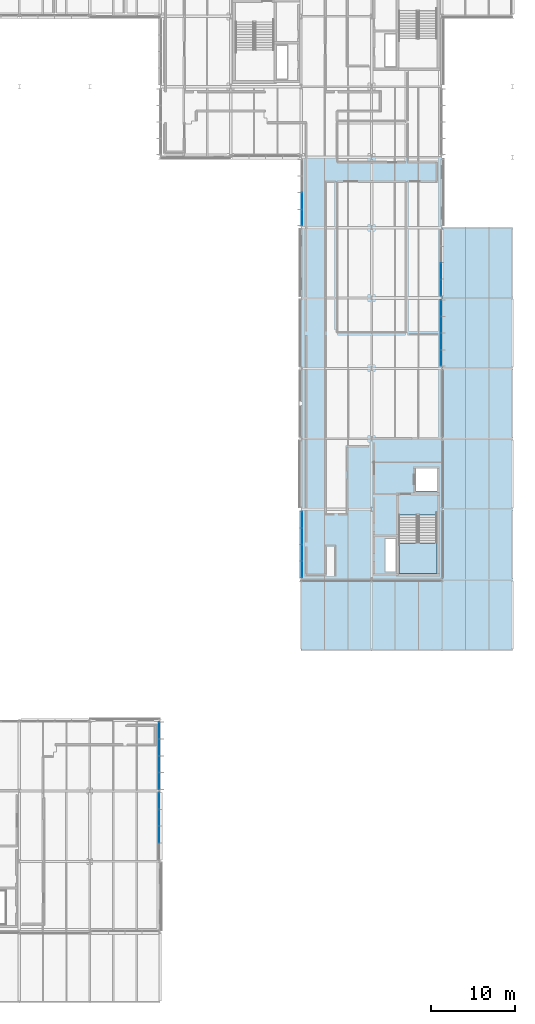
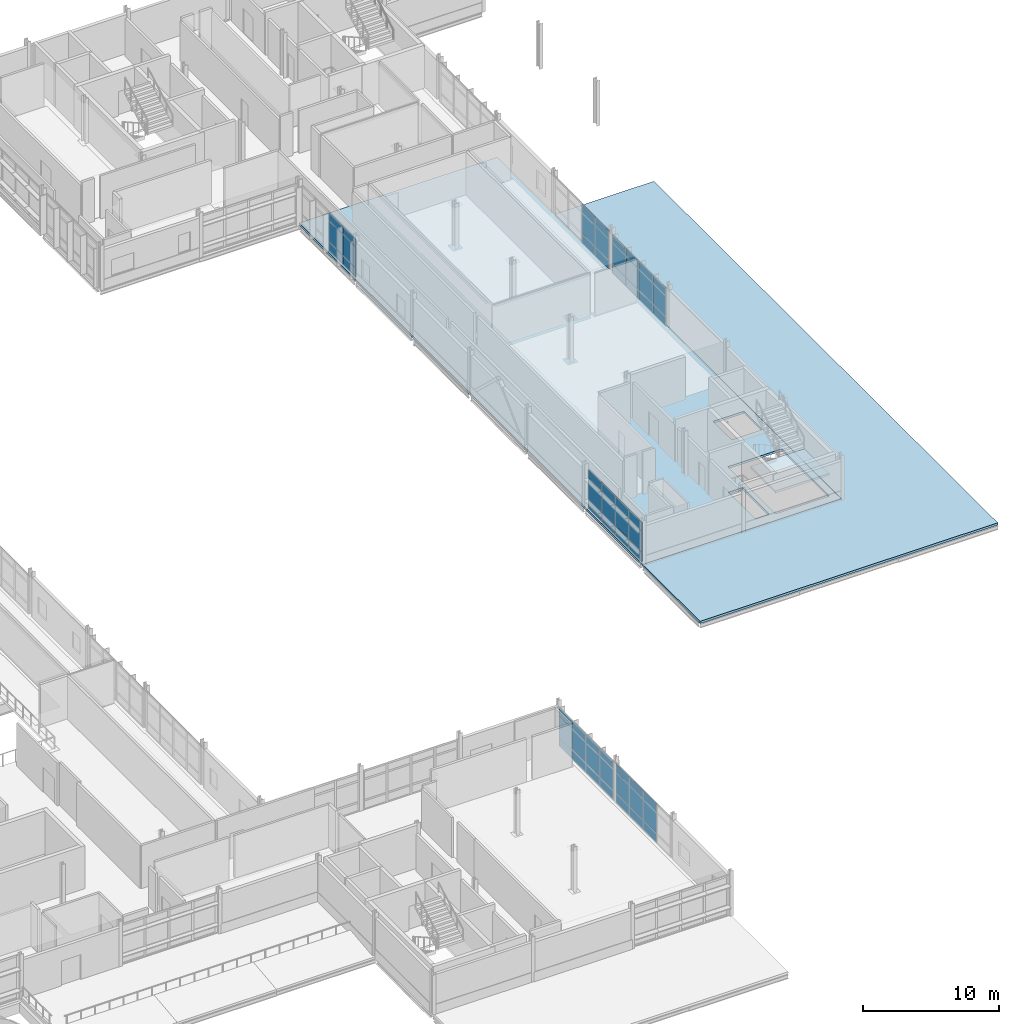
# One storey, part 115 of 151: 57 plates, 3 slabs, 7 elements without a shape of their own.
"""IFC4 building model written with IfcOpenShell, lengths in metres."""

import ifcopenshell
import ifcopenshell.guid

model = None  # the IFC model being written
_history = None  # IfcOwnerHistory: only IFC2X3 demands one
_inside = {}  # id of a spatial element -> (the spatial element, [elements in it])
_under = {}  # id of a project, library or spatial element -> (it, [spatial elements below it])
_declared = {}  # id of a project -> (the project, [libraries it declares])
_typed = {}  # id of a type object -> (the type object, [elements of that type])
_made_of = {}  # id of a material, layer set ... -> (it, [elements and type objects made of it])


def new_model(schema):
    """Start an empty IFC model of exactly this schema.

    Asked for "IFC4X3", IfcOpenShell would pick the latest addendum, in which some entities
    have other attributes; the version numbers below select the first issue.
    IFC2X3 requires an IfcOwnerHistory on every rooted entity: one is made here for all.
    """
    global model, _history
    if schema == "IFC4X3":
        model = ifcopenshell.file(schema_version=(4, 3, 0, 0))
    else:
        model = ifcopenshell.file(schema=schema)
    _inside.clear()
    _under.clear()
    _declared.clear()
    _typed.clear()
    _made_of.clear()
    _history = None
    if model.schema == "IFC2X3":
        org = make("IfcOrganization", Name="unknown")
        user = make(
            "IfcPersonAndOrganization",
            ThePerson=make("IfcPerson", FamilyName="unknown"),
            TheOrganization=org,
        )
        app = make(
            "IfcApplication",
            ApplicationDeveloper=org,
            Version="unknown",
            ApplicationFullName="unknown",
            ApplicationIdentifier="unknown",
        )
        _history = make(
            "IfcOwnerHistory",
            OwningUser=user,
            OwningApplication=app,
            ChangeAction="ADDED",
            CreationDate=0,
        )
    return model


def make(cls, **values):
    """One entity of the class cls with the attributes given. An attribute that is None is left unset."""
    return model.create_entity(
        cls, **{name: value for name, value in values.items() if value is not None}
    )


def rooted(cls, **values):
    """An entity with a GlobalId (a new one), such as an element, a storey or a relation."""
    return make(cls, GlobalId=ifcopenshell.guid.new(), OwnerHistory=_history, **values)


def si_unit(unit_type, name, prefix=None):
    """IfcSIUnit, for example si_unit("LENGTHUNIT", "METRE", prefix="MILLI")."""
    return make("IfcSIUnit", UnitType=unit_type, Prefix=prefix, Name=name)


def assignment(units):
    """IfcUnitAssignment: the units of a project."""
    return None if units is None else make("IfcUnitAssignment", Units=units)


def point(xyz):
    """IfcCartesianPoint."""
    return None if xyz is None else make("IfcCartesianPoint", Coordinates=xyz)


def direction(xyz):
    """IfcDirection."""
    return None if xyz is None else make("IfcDirection", DirectionRatios=xyz)


def frame(location, z_axis=None, x_axis=None):
    """IfcAxis2Placement3D, a coordinate frame: its origin and axes. An axis left out is left unset."""
    return make(
        "IfcAxis2Placement3D",
        Location=point(location),
        Axis=direction(z_axis),
        RefDirection=direction(x_axis),
    )


def frame_2d(location, x_axis=None):
    """IfcAxis2Placement2D, a coordinate frame in the plane: its origin and x axis."""
    return make(
        "IfcAxis2Placement2D", Location=point(location), RefDirection=direction(x_axis)
    )


def origin():
    """The frame at (0, 0, 0) with its axes left unset."""
    return frame((0.0, 0.0, 0.0))


def origin_2d():
    """The frame at (0, 0) in the plane with its x axis left unset."""
    return frame_2d((0.0, 0.0))


def place(relative_to, where):
    """IfcLocalPlacement: puts the frame where relative to a parent placement (None: the world)."""
    return make(
        "IfcLocalPlacement", PlacementRelTo=relative_to, RelativePlacement=where
    )


def context(
    kind, dimensions, precision=None, world=None, true_north=None, identifier=None
):
    """IfcGeometricRepresentationContext, for example the 3D "Model" context."""
    return make(
        "IfcGeometricRepresentationContext",
        ContextIdentifier=identifier,
        ContextType=kind,
        CoordinateSpaceDimension=dimensions,
        Precision=precision,
        WorldCoordinateSystem=world,
        TrueNorth=true_north,
    )


def subcontext(parent, identifier, kind, view, scale=None):
    """IfcGeometricRepresentationSubContext, for example "Body" below "Model"."""
    return make(
        "IfcGeometricRepresentationSubContext",
        ContextIdentifier=identifier,
        ContextType=kind,
        ParentContext=parent,
        TargetScale=scale,
        TargetView=view,
    )


def project(units=None, contexts=None):
    """IfcProject with its units and contexts."""
    return rooted(
        "IfcProject",
        Name="project",
        RepresentationContexts=contexts,
        UnitsInContext=assignment(units),
    )


def spatial(cls, under=None, at=None, **own):
    """A site, building, storey or space (cls), placed at a placement, below another one or the project."""
    s = rooted(cls, ObjectPlacement=at, **own)
    if under is not None:
        _under.setdefault(under.id(), (under, []))[1].append(s)
    return s


def polyline(points):
    """IfcPolyline through the points."""
    return make("IfcPolyline", Points=[point(p) for p in points])


def profile(cls, at=None, kind="AREA", **sizes):
    """A parametric profile (cls). Its sizes go by their IFC names, for example OverallWidth=200.0."""
    return make(cls, ProfileType=kind, Position=at, **sizes)


def rectangle(**sizes):
    """IfcRectangleProfileDef."""
    return profile("IfcRectangleProfileDef", **sizes)


def outline(outer, holes=None, kind="AREA"):
    """IfcArbitraryClosedProfileDef: a profile drawn as a closed curve; with holes, ...WithVoids."""
    if holes is None:
        return make("IfcArbitraryClosedProfileDef", ProfileType=kind, OuterCurve=outer)
    return make(
        "IfcArbitraryProfileDefWithVoids",
        ProfileType=kind,
        OuterCurve=outer,
        InnerCurves=holes,
    )


def extrude(swept, where, along, depth):
    """IfcExtrudedAreaSolid: the profile swept, set in the frame where, extruded along a direction by depth."""
    return make(
        "IfcExtrudedAreaSolid",
        SweptArea=swept,
        Position=where,
        ExtrudedDirection=direction(along),
        Depth=depth,
    )


def shape(context_of_items, identifier, shape_type, items):
    """IfcShapeRepresentation: the items that make up one representation, for example the "Body"."""
    return make(
        "IfcShapeRepresentation",
        ContextOfItems=context_of_items,
        RepresentationIdentifier=identifier,
        RepresentationType=shape_type,
        Items=items,
    )


def material(Name=None, Category=None):
    """IfcMaterial."""
    return make("IfcMaterial", Name=Name, Category=Category)


def layer(
    of_material, thickness, ventilated=None, Name=None, Category=None, Priority=None
):
    """IfcMaterialLayer: one layer of a wall or slab, of a material (None: an air gap)."""
    return make(
        "IfcMaterialLayer",
        Material=of_material,
        LayerThickness=thickness,
        IsVentilated=ventilated,
        Name=Name,
        Category=Category,
        Priority=Priority,
    )


def layer_set(layers, Name=None):
    """IfcMaterialLayerSet."""
    return make("IfcMaterialLayerSet", MaterialLayers=layers, LayerSetName=Name)


def made_of(thing, what):
    """Note that an element or type object is made of a material, layer set ...; save() writes the relation."""
    if what is not None:
        _made_of.setdefault(what.id(), (what, []))[1].append(thing)
    return thing


def type_object(cls, material=None, **own):
    """A type object (cls), such as IfcWallType, which elements share."""
    return made_of(rooted(cls, **own), material)


def element(
    cls,
    number,
    at=None,
    inside=None,
    cuts=None,
    type_object=None,
    material=None,
    context=None,
    identifier="Body",
    shape_type=None,
    held_by="IfcProductDefinitionShape",
    body=None,
    shapes=None,
    **own,
):
    """One element of the class cls, such as IfcWall. Its Tag is "e" and its number.

    at: its placement. inside: the storey or other place that contains it. cuts: it is an
    opening in that element (IfcRelVoidsElement). A single representation is given by context,
    identifier, shape_type and body (its items); several are given by shapes. held_by: the class
    of the entity that holds the representations. save() writes the other relations.
    """
    e = rooted(cls, Tag="e%d" % number, ObjectPlacement=at, **own)
    if body is not None:
        shapes = [shape(context, identifier, shape_type, body)]
    if shapes is not None:
        e.Representation = make(held_by, Representations=shapes)
    if inside is not None:
        _inside.setdefault(inside.id(), (inside, []))[1].append(e)
    if cuts is not None:
        rooted(
            "IfcRelVoidsElement", RelatingBuildingElement=cuts, RelatedOpeningElement=e
        )
    if type_object is not None:
        _typed.setdefault(type_object.id(), (type_object, []))[1].append(e)
    return made_of(e, material)


def aggregate(whole, parts):
    """IfcRelAggregates: a whole, such as a stair, and the parts it consists of."""
    return rooted("IfcRelAggregates", RelatingObject=whole, RelatedObjects=parts)


def save(model, path):
    """Write the relations noted so far, then the file.

    IfcRelAggregates (storeys below a building ...), IfcRelContainedInSpatialStructure (elements
    in a storey), IfcRelDefinesByType, IfcRelAssociatesMaterial and IfcRelDeclares: one each for
    every whole, place, type object, material and project.
    """
    for whole, parts in _under.values():
        aggregate(whole, parts)
    for where, things in _inside.values():
        rooted(
            "IfcRelContainedInSpatialStructure",
            RelatedElements=things,
            RelatingStructure=where,
        )
    for kind, things in _typed.values():
        rooted("IfcRelDefinesByType", RelatedObjects=things, RelatingType=kind)
    for what, things in _made_of.values():
        rooted("IfcRelAssociatesMaterial", RelatedObjects=things, RelatingMaterial=what)
    for by, libraries in _declared.values():
        rooted("IfcRelDeclares", RelatingContext=by, RelatedDefinitions=libraries)
    model.write(path)


model = new_model("IFC4")

# Units and contexts
model_context = context("Model", 3, precision=1e-05, world=origin(), true_north=direction((0.0, 1.0)))
body_context = subcontext(model_context, "Body", "Model", "MODEL_VIEW")
ifc_project = project(units=[si_unit("LENGTHUNIT", "METRE"), si_unit("AREAUNIT", "SQUARE_METRE"), si_unit("VOLUMEUNIT", "CUBIC_METRE"), si_unit("PLANEANGLEUNIT", "RADIAN"), si_unit("MASSUNIT", "GRAM", prefix="KILO")], contexts=[model_context])

# Site, building, storey
site_placement = place(None, origin())
site = spatial("IfcSite", under=ifc_project, at=site_placement, CompositionType="ELEMENT")
building_placement = place(site_placement, origin())
building = spatial("IfcBuilding", under=site, at=building_placement, Name="Mersafa Astral City Hall", CompositionType="ELEMENT")
storey_placement = place(building_placement, frame((0.0, 0.0, 9.89990234375)))
storey = spatial("IfcBuildingStorey", under=building, at=storey_placement, Name="L02", CompositionType="ELEMENT", Elevation=9.89990234375)

# Curtain wall, plates
ifc_material_1 = material(Name="Anodised bronze aluminium framing", Category="aluminium")
curtain_wall_type_1 = type_object("IfcCurtainWallType", Name="ENV-CW-1", PredefinedType="USERDEFINED", material=ifc_material_1)
curtain_wall_1_placement = place(storey_placement, origin())
curtain_wall_1 = element("IfcCurtainWall", 1, at=curtain_wall_1_placement, inside=storey, type_object=curtain_wall_type_1, Name="L02 Unitised solar curtain wall 108", ObjectType="UNITISED CURTAIN WALL", PredefinedType="USERDEFINED")
ifc_material_2 = material(Name="Solar control low-e double glazing", Category="glass")
ifc_layer_1 = layer(ifc_material_2, 0.028076171875, Name="Solar control low-e double glazing")
ifc_layer_set_1 = layer_set([ifc_layer_1], Name="Solar control low-e double glazing — ENV-CW-PNL-GLZ-1")
plate_type_1 = type_object("IfcPlateType", Name="ENV-CW-PNL-GLZ-1", PredefinedType="CURTAIN_PANEL", material=ifc_layer_set_1)
plate_1_placement = place(storey_placement, frame((142.679931640625, 26.386474609375, 0.05810546875), z_axis=(0.0, 0.0, 1.0), x_axis=(0.0, 1.0, 0.0)))
plate_1 = element("IfcPlate", 2, at=plate_1_placement, type_object=plate_type_1, Name="CW-1 panel 1.1", PredefinedType="CURTAIN_PANEL", context=body_context, shape_type="SweptSolid", body=[
    extrude(rectangle(XDim=1.928955078125, YDim=0.028076171875, at=origin_2d()), origin(), (0.0, 0.0, 1.0), 0.761962890625),
])
plate_2_placement = place(storey_placement, frame((142.679931640625, 26.386474609375, 0.8798828125), z_axis=(0.0, 0.0, 1.0), x_axis=(0.0, 1.0, 0.0)))
plate_2 = element("IfcPlate", 3, at=plate_2_placement, type_object=plate_type_1, Name="CW-1 panel 1.2", PredefinedType="CURTAIN_PANEL", context=body_context, shape_type="SweptSolid", body=[
    extrude(rectangle(XDim=1.928955078125, YDim=0.028076171875, at=origin_2d()), origin(), (0.0, 0.0, 1.0), 1.840087890625),
])
plate_3_placement = place(storey_placement, frame((142.679931640625, 26.386474609375, 2.780029296875), z_axis=(0.0, 0.0, 1.0), x_axis=(0.0, 1.0, 0.0)))
plate_3 = element("IfcPlate", 4, at=plate_3_placement, type_object=plate_type_1, Name="CW-1 panel 1.3", PredefinedType="CURTAIN_PANEL", context=body_context, shape_type="SweptSolid", body=[
    extrude(rectangle(XDim=1.928955078125, YDim=0.028076171875, at=origin_2d()), origin(), (0.0, 0.0, 1.0), 0.64697265625),
])
plate_4_placement = place(storey_placement, frame((142.679931640625, 28.390380859375, 0.05810546875), z_axis=(0.0, 0.0, 1.0), x_axis=(0.0, 1.0, 0.0)))
plate_4 = element("IfcPlate", 5, at=plate_4_placement, type_object=plate_type_1, Name="CW-1 panel 2.1", PredefinedType="CURTAIN_PANEL", context=body_context, shape_type="SweptSolid", body=[
    extrude(rectangle(XDim=1.958984375, YDim=0.028076171875, at=origin_2d()), origin(), (0.0, 0.0, 1.0), 0.761962890625),
])
plate_5_placement = place(storey_placement, frame((142.679931640625, 28.390380859375, 0.8798828125), z_axis=(0.0, 0.0, 1.0), x_axis=(0.0, 1.0, 0.0)))
plate_5 = element("IfcPlate", 6, at=plate_5_placement, type_object=plate_type_1, Name="CW-1 panel 2.2", PredefinedType="CURTAIN_PANEL", context=body_context, shape_type="SweptSolid", body=[
    extrude(rectangle(XDim=1.958984375, YDim=0.028076171875, at=origin_2d()), origin(), (0.0, 0.0, 1.0), 1.840087890625),
])
plate_6_placement = place(storey_placement, frame((142.679931640625, 28.390380859375, 2.780029296875), z_axis=(0.0, 0.0, 1.0), x_axis=(0.0, 1.0, 0.0)))
plate_6 = element("IfcPlate", 7, at=plate_6_placement, type_object=plate_type_1, Name="CW-1 panel 2.3", PredefinedType="CURTAIN_PANEL", context=body_context, shape_type="SweptSolid", body=[
    extrude(rectangle(XDim=1.958984375, YDim=0.028076171875, at=origin_2d()), origin(), (0.0, 0.0, 1.0), 0.64697265625),
])
plate_7_placement = place(storey_placement, frame((142.679931640625, 30.409423828125, 0.05810546875), z_axis=(0.0, 0.0, 1.0), x_axis=(0.0, 1.0, 0.0)))
plate_7 = element("IfcPlate", 8, at=plate_7_placement, type_object=plate_type_1, Name="CW-1 panel 3.1", PredefinedType="CURTAIN_PANEL", context=body_context, shape_type="SweptSolid", body=[
    extrude(rectangle(XDim=1.958984375, YDim=0.028076171875, at=origin_2d()), origin(), (0.0, 0.0, 1.0), 0.761962890625),
])
plate_8_placement = place(storey_placement, frame((142.679931640625, 30.409423828125, 0.8798828125), z_axis=(0.0, 0.0, 1.0), x_axis=(0.0, 1.0, 0.0)))
plate_8 = element("IfcPlate", 9, at=plate_8_placement, type_object=plate_type_1, Name="CW-1 panel 3.2", PredefinedType="CURTAIN_PANEL", context=body_context, shape_type="SweptSolid", body=[
    extrude(rectangle(XDim=1.958984375, YDim=0.028076171875, at=origin_2d()), origin(), (0.0, 0.0, 1.0), 1.840087890625),
])
plate_9_placement = place(storey_placement, frame((142.679931640625, 30.409423828125, 2.780029296875), z_axis=(0.0, 0.0, 1.0), x_axis=(0.0, 1.0, 0.0)))
plate_9 = element("IfcPlate", 10, at=plate_9_placement, type_object=plate_type_1, Name="CW-1 panel 3.3", PredefinedType="CURTAIN_PANEL", context=body_context, shape_type="SweptSolid", body=[
    extrude(rectangle(XDim=1.958984375, YDim=0.028076171875, at=origin_2d()), origin(), (0.0, 0.0, 1.0), 0.64697265625),
])
plate_10_placement = place(storey_placement, frame((142.679931640625, 32.41357421875, 0.05810546875), z_axis=(0.0, 0.0, 1.0), x_axis=(0.0, 1.0, 0.0)))
plate_10 = element("IfcPlate", 11, at=plate_10_placement, type_object=plate_type_1, Name="CW-1 panel 4.1", PredefinedType="CURTAIN_PANEL", context=body_context, shape_type="SweptSolid", body=[
    extrude(rectangle(XDim=1.928955078125, YDim=0.028076171875, at=origin_2d()), origin(), (0.0, 0.0, 1.0), 0.761962890625),
])
plate_11_placement = place(storey_placement, frame((142.679931640625, 32.41357421875, 0.8798828125), z_axis=(0.0, 0.0, 1.0), x_axis=(0.0, 1.0, 0.0)))
plate_11 = element("IfcPlate", 12, at=plate_11_placement, type_object=plate_type_1, Name="CW-1 panel 4.2", PredefinedType="CURTAIN_PANEL", context=body_context, shape_type="SweptSolid", body=[
    extrude(rectangle(XDim=1.928955078125, YDim=0.028076171875, at=origin_2d()), origin(), (0.0, 0.0, 1.0), 1.840087890625),
])
plate_12_placement = place(storey_placement, frame((142.679931640625, 32.41357421875, 2.780029296875), z_axis=(0.0, 0.0, 1.0), x_axis=(0.0, 1.0, 0.0)))
plate_12 = element("IfcPlate", 13, at=plate_12_placement, type_object=plate_type_1, Name="CW-1 panel 4.3", PredefinedType="CURTAIN_PANEL", context=body_context, shape_type="SweptSolid", body=[
    extrude(rectangle(XDim=1.928955078125, YDim=0.028076171875, at=origin_2d()), origin(), (0.0, 0.0, 1.0), 0.64697265625),
])
aggregate(curtain_wall_1, [plate_1, plate_2, plate_3, plate_4, plate_5, plate_6, plate_7, plate_8, plate_9, plate_10, plate_11, plate_12])

curtain_wall_type_2 = type_object("IfcCurtainWallType", Name="ENV-CW-5", PredefinedType="USERDEFINED", material=ifc_material_1)
curtain_wall_2_placement = place(storey_placement, origin())
curtain_wall_2 = element("IfcCurtainWall", 14, at=curtain_wall_2_placement, inside=storey, type_object=curtain_wall_type_2, Name="L02 Unitised solar curtain wall 124", ObjectType="UNITISED CURTAIN WALL", PredefinedType="USERDEFINED")
plate_13_placement = place(storey_placement, frame((176.280029296875, 76.8427734375, 0.05810546875), z_axis=(0.0, 0.0, 1.0), x_axis=(0.0, 1.0, 0.0)))
plate_13 = element("IfcPlate", 15, at=plate_13_placement, type_object=plate_type_1, Name="CW-5 panel 1.1", PredefinedType="CURTAIN_PANEL", context=body_context, shape_type="SweptSolid", body=[
    extrude(rectangle(XDim=1.8916015625, YDim=0.028076171875, at=origin_2d()), origin(), (0.0, 0.0, 1.0), 0.761962890625),
])
plate_14_placement = place(storey_placement, frame((176.280029296875, 76.8427734375, 0.8798828125), z_axis=(0.0, 0.0, 1.0), x_axis=(0.0, 1.0, 0.0)))
plate_14 = element("IfcPlate", 16, at=plate_14_placement, type_object=plate_type_1, Name="CW-5 panel 1.2", PredefinedType="CURTAIN_PANEL", context=body_context, shape_type="SweptSolid", body=[
    extrude(rectangle(XDim=1.8916015625, YDim=0.028076171875, at=origin_2d()), origin(), (0.0, 0.0, 1.0), 1.840087890625),
])
plate_15_placement = place(storey_placement, frame((176.280029296875, 76.8427734375, 2.780029296875), z_axis=(0.0, 0.0, 1.0), x_axis=(0.0, 1.0, 0.0)))
plate_15 = element("IfcPlate", 17, at=plate_15_placement, type_object=plate_type_1, Name="CW-5 panel 1.3", PredefinedType="CURTAIN_PANEL", context=body_context, shape_type="SweptSolid", body=[
    extrude(rectangle(XDim=1.8916015625, YDim=0.028076171875, at=origin_2d()), origin(), (0.0, 0.0, 1.0), 0.64697265625),
])
plate_16_placement = place(storey_placement, frame((176.280029296875, 78.809326171875, 0.05810546875), z_axis=(0.0, 0.0, 1.0), x_axis=(0.0, 1.0, 0.0)))
plate_16 = element("IfcPlate", 18, at=plate_16_placement, type_object=plate_type_1, Name="CW-5 panel 2.1", PredefinedType="CURTAIN_PANEL", context=body_context, shape_type="SweptSolid", body=[
    extrude(rectangle(XDim=1.92138671875, YDim=0.028076171875, at=origin_2d()), origin(), (0.0, 0.0, 1.0), 0.761962890625),
])
plate_17_placement = place(storey_placement, frame((176.280029296875, 78.809326171875, 0.8798828125), z_axis=(0.0, 0.0, 1.0), x_axis=(0.0, 1.0, 0.0)))
plate_17 = element("IfcPlate", 19, at=plate_17_placement, type_object=plate_type_1, Name="CW-5 panel 2.2", PredefinedType="CURTAIN_PANEL", context=body_context, shape_type="SweptSolid", body=[
    extrude(rectangle(XDim=1.92138671875, YDim=0.028076171875, at=origin_2d()), origin(), (0.0, 0.0, 1.0), 1.840087890625),
])
plate_18_placement = place(storey_placement, frame((176.280029296875, 78.809326171875, 2.780029296875), z_axis=(0.0, 0.0, 1.0), x_axis=(0.0, 1.0, 0.0)))
plate_18 = element("IfcPlate", 20, at=plate_18_placement, type_object=plate_type_1, Name="CW-5 panel 2.3", PredefinedType="CURTAIN_PANEL", context=body_context, shape_type="SweptSolid", body=[
    extrude(rectangle(XDim=1.92138671875, YDim=0.028076171875, at=origin_2d()), origin(), (0.0, 0.0, 1.0), 0.64697265625),
])
plate_19_placement = place(storey_placement, frame((176.280029296875, 80.790771484375, 0.05810546875), z_axis=(0.0, 0.0, 1.0), x_axis=(0.0, 1.0, 0.0)))
plate_19 = element("IfcPlate", 21, at=plate_19_placement, type_object=plate_type_1, Name="CW-5 panel 3.1", PredefinedType="CURTAIN_PANEL", context=body_context, shape_type="SweptSolid", body=[
    extrude(rectangle(XDim=1.92138671875, YDim=0.028076171875, at=origin_2d()), origin(), (0.0, 0.0, 1.0), 0.761962890625),
])
plate_20_placement = place(storey_placement, frame((176.280029296875, 80.790771484375, 0.8798828125), z_axis=(0.0, 0.0, 1.0), x_axis=(0.0, 1.0, 0.0)))
plate_20 = element("IfcPlate", 22, at=plate_20_placement, type_object=plate_type_1, Name="CW-5 panel 3.2", PredefinedType="CURTAIN_PANEL", context=body_context, shape_type="SweptSolid", body=[
    extrude(rectangle(XDim=1.92138671875, YDim=0.028076171875, at=origin_2d()), origin(), (0.0, 0.0, 1.0), 1.840087890625),
])
plate_21_placement = place(storey_placement, frame((176.280029296875, 80.790771484375, 2.780029296875), z_axis=(0.0, 0.0, 1.0), x_axis=(0.0, 1.0, 0.0)))
plate_21 = element("IfcPlate", 23, at=plate_21_placement, type_object=plate_type_1, Name="CW-5 panel 3.3", PredefinedType="CURTAIN_PANEL", context=body_context, shape_type="SweptSolid", body=[
    extrude(rectangle(XDim=1.92138671875, YDim=0.028076171875, at=origin_2d()), origin(), (0.0, 0.0, 1.0), 0.64697265625),
])
plate_22_placement = place(storey_placement, frame((176.280029296875, 82.75732421875, 0.05810546875), z_axis=(0.0, 0.0, 1.0), x_axis=(0.0, 1.0, 0.0)))
plate_22 = element("IfcPlate", 24, at=plate_22_placement, type_object=plate_type_1, Name="CW-5 panel 4.1", PredefinedType="CURTAIN_PANEL", context=body_context, shape_type="SweptSolid", body=[
    extrude(rectangle(XDim=1.8916015625, YDim=0.028076171875, at=origin_2d()), origin(), (0.0, 0.0, 1.0), 0.761962890625),
])
plate_23_placement = place(storey_placement, frame((176.280029296875, 82.75732421875, 0.8798828125), z_axis=(0.0, 0.0, 1.0), x_axis=(0.0, 1.0, 0.0)))
plate_23 = element("IfcPlate", 25, at=plate_23_placement, type_object=plate_type_1, Name="CW-5 panel 4.2", PredefinedType="CURTAIN_PANEL", context=body_context, shape_type="SweptSolid", body=[
    extrude(rectangle(XDim=1.8916015625, YDim=0.028076171875, at=origin_2d()), origin(), (0.0, 0.0, 1.0), 1.840087890625),
])
plate_24_placement = place(storey_placement, frame((176.280029296875, 82.75732421875, 2.780029296875), z_axis=(0.0, 0.0, 1.0), x_axis=(0.0, 1.0, 0.0)))
plate_24 = element("IfcPlate", 26, at=plate_24_placement, type_object=plate_type_1, Name="CW-5 panel 4.3", PredefinedType="CURTAIN_PANEL", context=body_context, shape_type="SweptSolid", body=[
    extrude(rectangle(XDim=1.8916015625, YDim=0.028076171875, at=origin_2d()), origin(), (0.0, 0.0, 1.0), 0.64697265625),
])
aggregate(curtain_wall_2, [plate_13, plate_14, plate_15, plate_16, plate_17, plate_18, plate_19, plate_20, plate_21, plate_22, plate_23, plate_24])

curtain_wall_type_3 = type_object("IfcCurtainWallType", Name="ENV-CW-6", PredefinedType="USERDEFINED", material=ifc_material_1)
curtain_wall_3_placement = place(storey_placement, origin())
curtain_wall_3 = element("IfcCurtainWall", 27, at=curtain_wall_3_placement, inside=storey, type_object=curtain_wall_type_3, Name="L02 Unitised solar curtain wall 125", ObjectType="UNITISED CURTAIN WALL", PredefinedType="USERDEFINED")
ifc_layer_2 = layer(ifc_material_2, 0.031982421875, Name="Solar control low-e double glazing")
ifc_layer_set_2 = layer_set([ifc_layer_2], Name="Solar control low-e double glazing — ENV-CW-PNL-GLZ-2")
plate_type_2 = type_object("IfcPlateType", Name="ENV-CW-PNL-GLZ-2", PredefinedType="CURTAIN_PANEL", material=ifc_layer_set_2)
plate_25_placement = place(storey_placement, frame((176.280029296875, 85.24267578125, 0.05810546875), z_axis=(0.0, 0.0, 1.0), x_axis=(0.0, 1.0, 0.0)))
plate_25 = element("IfcPlate", 28, at=plate_25_placement, type_object=plate_type_2, Name="CW-6 panel 1.1", PredefinedType="CURTAIN_PANEL", context=body_context, shape_type="SweptSolid", body=[
    extrude(rectangle(XDim=1.8916015625, YDim=0.031982421875, at=origin_2d()), origin(), (0.0, 0.0, 1.0), 0.761962890625),
])
plate_26_placement = place(storey_placement, frame((176.280029296875, 85.24267578125, 0.8798828125), z_axis=(0.0, 0.0, 1.0), x_axis=(0.0, 1.0, 0.0)))
plate_26 = element("IfcPlate", 29, at=plate_26_placement, type_object=plate_type_2, Name="CW-6 panel 1.2", PredefinedType="CURTAIN_PANEL", context=body_context, shape_type="SweptSolid", body=[
    extrude(rectangle(XDim=1.8916015625, YDim=0.031982421875, at=origin_2d()), origin(), (0.0, 0.0, 1.0), 1.840087890625),
])
plate_27_placement = place(storey_placement, frame((176.280029296875, 85.24267578125, 2.7802734375), z_axis=(0.0, 0.0, 1.0), x_axis=(0.0, 1.0, 0.0)))
plate_27 = element("IfcPlate", 30, at=plate_27_placement, type_object=plate_type_2, Name="CW-6 panel 1.3", PredefinedType="CURTAIN_PANEL", context=body_context, shape_type="SweptSolid", body=[
    extrude(rectangle(XDim=1.8916015625, YDim=0.031982421875, at=origin_2d()), origin(), (0.0, 0.0, 1.0), 0.737060546875),
])
plate_28_placement = place(storey_placement, frame((176.280029296875, 87.209228515625, 0.05810546875), z_axis=(0.0, 0.0, 1.0), x_axis=(0.0, 1.0, 0.0)))
plate_28 = element("IfcPlate", 31, at=plate_28_placement, type_object=plate_type_2, Name="CW-6 panel 2.1", PredefinedType="CURTAIN_PANEL", context=body_context, shape_type="SweptSolid", body=[
    extrude(rectangle(XDim=1.92138671875, YDim=0.031982421875, at=origin_2d()), origin(), (0.0, 0.0, 1.0), 0.761962890625),
])
plate_29_placement = place(storey_placement, frame((176.280029296875, 87.209228515625, 0.8798828125), z_axis=(0.0, 0.0, 1.0), x_axis=(0.0, 1.0, 0.0)))
plate_29 = element("IfcPlate", 32, at=plate_29_placement, type_object=plate_type_2, Name="CW-6 panel 2.2", PredefinedType="CURTAIN_PANEL", context=body_context, shape_type="SweptSolid", body=[
    extrude(rectangle(XDim=1.92138671875, YDim=0.031982421875, at=origin_2d()), origin(), (0.0, 0.0, 1.0), 1.840087890625),
])
plate_30_placement = place(storey_placement, frame((176.280029296875, 87.209228515625, 2.7802734375), z_axis=(0.0, 0.0, 1.0), x_axis=(0.0, 1.0, 0.0)))
plate_30 = element("IfcPlate", 33, at=plate_30_placement, type_object=plate_type_2, Name="CW-6 panel 2.3", PredefinedType="CURTAIN_PANEL", context=body_context, shape_type="SweptSolid", body=[
    extrude(rectangle(XDim=1.92138671875, YDim=0.031982421875, at=origin_2d()), origin(), (0.0, 0.0, 1.0), 0.737060546875),
])
aggregate(curtain_wall_3, [plate_25, plate_26, plate_27, plate_28, plate_29, plate_30])

curtain_wall_type_4 = type_object("IfcCurtainWallType", Name="ENV-CW-3", PredefinedType="USERDEFINED", material=ifc_material_1)
curtain_wall_4_placement = place(storey_placement, origin())
curtain_wall_4 = element("IfcCurtainWall", 34, at=curtain_wall_4_placement, inside=storey, type_object=curtain_wall_type_4, Name="L02 Unitised solar curtain wall 122", ObjectType="UNITISED CURTAIN WALL", PredefinedType="USERDEFINED")
ifc_layer_3 = layer(ifc_material_2, 0.035888671875, Name="Solar control low-e double glazing")
ifc_layer_set_3 = layer_set([ifc_layer_3], Name="Solar control low-e double glazing — ENV-CW-PNL-GLZ-3")
plate_type_3 = type_object("IfcPlateType", Name="ENV-CW-PNL-GLZ-3", PredefinedType="CURTAIN_PANEL", material=ifc_layer_set_3)
plate_31_placement = place(storey_placement, frame((159.719970703125, 95.57177734375, 0.05810546875), z_axis=(0.0, 0.0, 1.0), x_axis=(0.0, -1.0, 0.0)))
plate_31 = element("IfcPlate", 35, at=plate_31_placement, type_object=plate_type_3, Name="CW-3 panel 3.1", PredefinedType="CURTAIN_PANEL", context=body_context, shape_type="SweptSolid", body=[
    extrude(rectangle(XDim=1.926513671875, YDim=0.035888671875, at=origin_2d()), origin(), (0.0, 0.0, 1.0), 0.761962890625),
])
plate_32_placement = place(storey_placement, frame((159.719970703125, 95.57177734375, 0.8798828125), z_axis=(0.0, 0.0, 1.0), x_axis=(0.0, -1.0, 0.0)))
plate_32 = element("IfcPlate", 36, at=plate_32_placement, type_object=plate_type_3, Name="CW-3 panel 3.2", PredefinedType="CURTAIN_PANEL", context=body_context, shape_type="SweptSolid", body=[
    extrude(rectangle(XDim=1.926513671875, YDim=0.035888671875, at=origin_2d()), origin(), (0.0, 0.0, 1.0), 1.840087890625),
])
plate_33_placement = place(storey_placement, frame((159.719970703125, 95.57177734375, 2.780029296875), z_axis=(0.0, 0.0, 1.0), x_axis=(0.0, -1.0, 0.0)))
plate_33 = element("IfcPlate", 37, at=plate_33_placement, type_object=plate_type_3, Name="CW-3 panel 3.3", PredefinedType="CURTAIN_PANEL", context=body_context, shape_type="SweptSolid", body=[
    extrude(rectangle(XDim=1.926513671875, YDim=0.035888671875, at=origin_2d()), origin(), (0.0, 0.0, 1.0), 0.64697265625),
])
plate_34_placement = place(storey_placement, frame((159.719970703125, 93.600341796875, 0.05810546875), z_axis=(0.0, 0.0, 1.0), x_axis=(0.0, -1.0, 0.0)))
plate_34 = element("IfcPlate", 38, at=plate_34_placement, type_object=plate_type_3, Name="CW-3 panel 4.1", PredefinedType="CURTAIN_PANEL", context=body_context, shape_type="SweptSolid", body=[
    extrude(rectangle(XDim=1.896484375, YDim=0.035888671875, at=origin_2d()), origin(), (0.0, 0.0, 1.0), 0.761962890625),
])
plate_35_placement = place(storey_placement, frame((159.719970703125, 93.600341796875, 0.8798828125), z_axis=(0.0, 0.0, 1.0), x_axis=(0.0, -1.0, 0.0)))
plate_35 = element("IfcPlate", 39, at=plate_35_placement, type_object=plate_type_3, Name="CW-3 panel 4.2", PredefinedType="CURTAIN_PANEL", context=body_context, shape_type="SweptSolid", body=[
    extrude(rectangle(XDim=1.896484375, YDim=0.035888671875, at=origin_2d()), origin(), (0.0, 0.0, 1.0), 1.840087890625),
])
plate_36_placement = place(storey_placement, frame((159.719970703125, 93.600341796875, 2.780029296875), z_axis=(0.0, 0.0, 1.0), x_axis=(0.0, -1.0, 0.0)))
plate_36 = element("IfcPlate", 40, at=plate_36_placement, type_object=plate_type_3, Name="CW-3 panel 4.3", PredefinedType="CURTAIN_PANEL", context=body_context, shape_type="SweptSolid", body=[
    extrude(rectangle(XDim=1.896484375, YDim=0.035888671875, at=origin_2d()), origin(), (0.0, 0.0, 1.0), 0.64697265625),
])
aggregate(curtain_wall_4, [plate_31, plate_32, plate_33, plate_34, plate_35, plate_36])

curtain_wall_5_placement = place(storey_placement, origin())
curtain_wall_5 = element("IfcCurtainWall", 41, at=curtain_wall_5_placement, inside=storey, type_object=curtain_wall_type_3, Name="L02 Unitised solar curtain wall 107", ObjectType="UNITISED CURTAIN WALL", PredefinedType="USERDEFINED")
ifc_layer_4 = layer(ifc_material_2, 0.0400390625, Name="Solar control low-e double glazing")
ifc_layer_set_4 = layer_set([ifc_layer_4], Name="Solar control low-e double glazing — ENV-CW-PNL-GLZ-4")
plate_type_4 = type_object("IfcPlateType", Name="ENV-CW-PNL-GLZ-4", PredefinedType="CURTAIN_PANEL", material=ifc_layer_set_4)
plate_37_placement = place(storey_placement, frame((142.679931640625, 19.990478515625, 0.05810546875), z_axis=(0.0, 0.0, 1.0), x_axis=(0.0, 1.0, 0.0)))
plate_37 = element("IfcPlate", 42, at=plate_37_placement, type_object=plate_type_4, Name="CW-6 panel 2.1", PredefinedType="CURTAIN_PANEL", context=body_context, shape_type="SweptSolid", body=[
    extrude(rectangle(XDim=1.958984375, YDim=0.0400390625, at=origin_2d()), origin(), (0.0, 0.0, 1.0), 0.761962890625),
])
plate_38_placement = place(storey_placement, frame((142.679931640625, 19.990478515625, 0.8798828125), z_axis=(0.0, 0.0, 1.0), x_axis=(0.0, 1.0, 0.0)))
plate_38 = element("IfcPlate", 43, at=plate_38_placement, type_object=plate_type_4, Name="CW-6 panel 2.2", PredefinedType="CURTAIN_PANEL", context=body_context, shape_type="SweptSolid", body=[
    extrude(rectangle(XDim=1.958984375, YDim=0.0400390625, at=origin_2d()), origin(), (0.0, 0.0, 1.0), 1.840087890625),
])
plate_39_placement = place(storey_placement, frame((142.679931640625, 19.990478515625, 2.7802734375), z_axis=(0.0, 0.0, 1.0), x_axis=(0.0, 1.0, 0.0)))
plate_39 = element("IfcPlate", 44, at=plate_39_placement, type_object=plate_type_4, Name="CW-6 panel 2.3", PredefinedType="CURTAIN_PANEL", context=body_context, shape_type="SweptSolid", body=[
    extrude(rectangle(XDim=1.958984375, YDim=0.0400390625, at=origin_2d()), origin(), (0.0, 0.0, 1.0), 0.737060546875),
])
plate_40_placement = place(storey_placement, frame((142.679931640625, 22.009521484375, 0.05810546875), z_axis=(0.0, 0.0, 1.0), x_axis=(0.0, 1.0, 0.0)))
plate_40 = element("IfcPlate", 45, at=plate_40_placement, type_object=plate_type_4, Name="CW-6 panel 3.1", PredefinedType="CURTAIN_PANEL", context=body_context, shape_type="SweptSolid", body=[
    extrude(rectangle(XDim=1.958984375, YDim=0.0400390625, at=origin_2d()), origin(), (0.0, 0.0, 1.0), 0.761962890625),
])
plate_41_placement = place(storey_placement, frame((142.679931640625, 22.009521484375, 0.8798828125), z_axis=(0.0, 0.0, 1.0), x_axis=(0.0, 1.0, 0.0)))
plate_41 = element("IfcPlate", 46, at=plate_41_placement, type_object=plate_type_4, Name="CW-6 panel 3.2", PredefinedType="CURTAIN_PANEL", context=body_context, shape_type="SweptSolid", body=[
    extrude(rectangle(XDim=1.958984375, YDim=0.0400390625, at=origin_2d()), origin(), (0.0, 0.0, 1.0), 1.840087890625),
])
plate_42_placement = place(storey_placement, frame((142.679931640625, 22.009521484375, 2.7802734375), z_axis=(0.0, 0.0, 1.0), x_axis=(0.0, 1.0, 0.0)))
plate_42 = element("IfcPlate", 47, at=plate_42_placement, type_object=plate_type_4, Name="CW-6 panel 3.3", PredefinedType="CURTAIN_PANEL", context=body_context, shape_type="SweptSolid", body=[
    extrude(rectangle(XDim=1.958984375, YDim=0.0400390625, at=origin_2d()), origin(), (0.0, 0.0, 1.0), 0.737060546875),
])
plate_43_placement = place(storey_placement, frame((142.679931640625, 24.013427734375, 0.05810546875), z_axis=(0.0, 0.0, 1.0), x_axis=(0.0, 1.0, 0.0)))
plate_43 = element("IfcPlate", 48, at=plate_43_placement, type_object=plate_type_4, Name="CW-6 panel 4.1", PredefinedType="CURTAIN_PANEL", context=body_context, shape_type="SweptSolid", body=[
    extrude(rectangle(XDim=1.928955078125, YDim=0.0400390625, at=origin_2d()), origin(), (0.0, 0.0, 1.0), 0.761962890625),
])
plate_44_placement = place(storey_placement, frame((142.679931640625, 24.013427734375, 0.8798828125), z_axis=(0.0, 0.0, 1.0), x_axis=(0.0, 1.0, 0.0)))
plate_44 = element("IfcPlate", 49, at=plate_44_placement, type_object=plate_type_4, Name="CW-6 panel 4.2", PredefinedType="CURTAIN_PANEL", context=body_context, shape_type="SweptSolid", body=[
    extrude(rectangle(XDim=1.928955078125, YDim=0.0400390625, at=origin_2d()), origin(), (0.0, 0.0, 1.0), 1.840087890625),
])
plate_45_placement = place(storey_placement, frame((142.679931640625, 24.013427734375, 2.7802734375), z_axis=(0.0, 0.0, 1.0), x_axis=(0.0, 1.0, 0.0)))
plate_45 = element("IfcPlate", 50, at=plate_45_placement, type_object=plate_type_4, Name="CW-6 panel 4.3", PredefinedType="CURTAIN_PANEL", context=body_context, shape_type="SweptSolid", body=[
    extrude(rectangle(XDim=1.928955078125, YDim=0.0400390625, at=origin_2d()), origin(), (0.0, 0.0, 1.0), 0.737060546875),
])
aggregate(curtain_wall_5, [plate_37, plate_38, plate_39, plate_40, plate_41, plate_42, plate_43, plate_44, plate_45])

curtain_wall_type_5 = type_object("IfcCurtainWallType", Name="ENV-CW-4", PredefinedType="USERDEFINED", material=ifc_material_1)
curtain_wall_6_placement = place(storey_placement, origin())
curtain_wall_6 = element("IfcCurtainWall", 51, at=curtain_wall_6_placement, inside=storey, type_object=curtain_wall_type_5, Name="L02 Unitised solar curtain wall 123", ObjectType="UNITISED CURTAIN WALL", PredefinedType="USERDEFINED")
plate_46_placement = place(storey_placement, frame((159.719970703125, 57.55712890625, 0.05810546875), z_axis=(0.0, 0.0, 1.0), x_axis=(0.0, -1.0, 0.0)))
plate_46 = element("IfcPlate", 52, at=plate_46_placement, type_object=plate_type_4, Name="CW-4 panel 1.1", PredefinedType="CURTAIN_PANEL", context=body_context, shape_type="SweptSolid", body=[
    extrude(rectangle(XDim=1.8916015625, YDim=0.0400390625, at=origin_2d()), origin(), (0.0, 0.0, 1.0), 0.761962890625),
])
plate_47_placement = place(storey_placement, frame((159.719970703125, 57.55712890625, 0.8798828125), z_axis=(0.0, 0.0, 1.0), x_axis=(0.0, -1.0, 0.0)))
plate_47 = element("IfcPlate", 53, at=plate_47_placement, type_object=plate_type_4, Name="CW-4 panel 1.2", PredefinedType="CURTAIN_PANEL", context=body_context, shape_type="SweptSolid", body=[
    extrude(rectangle(XDim=1.8916015625, YDim=0.0400390625, at=origin_2d()), origin(), (0.0, 0.0, 1.0), 1.840087890625),
])
plate_48_placement = place(storey_placement, frame((159.719970703125, 57.55712890625, 2.7802734375), z_axis=(0.0, 0.0, 1.0), x_axis=(0.0, -1.0, 0.0)))
plate_48 = element("IfcPlate", 54, at=plate_48_placement, type_object=plate_type_4, Name="CW-4 panel 1.3", PredefinedType="CURTAIN_PANEL", context=body_context, shape_type="SweptSolid", body=[
    extrude(rectangle(XDim=1.8916015625, YDim=0.0400390625, at=origin_2d()), origin(), (0.0, 0.0, 1.0), 0.737060546875),
])
plate_49_placement = place(storey_placement, frame((159.719970703125, 55.5908203125, 0.05810546875), z_axis=(0.0, 0.0, 1.0), x_axis=(0.0, -1.0, 0.0)))
plate_49 = element("IfcPlate", 55, at=plate_49_placement, type_object=plate_type_4, Name="CW-4 panel 2.1", PredefinedType="CURTAIN_PANEL", context=body_context, shape_type="SweptSolid", body=[
    extrude(rectangle(XDim=1.92138671875, YDim=0.0400390625, at=origin_2d()), origin(), (0.0, 0.0, 1.0), 0.761962890625),
])
plate_50_placement = place(storey_placement, frame((159.719970703125, 55.5908203125, 0.8798828125), z_axis=(0.0, 0.0, 1.0), x_axis=(0.0, -1.0, 0.0)))
plate_50 = element("IfcPlate", 56, at=plate_50_placement, type_object=plate_type_4, Name="CW-4 panel 2.2", PredefinedType="CURTAIN_PANEL", context=body_context, shape_type="SweptSolid", body=[
    extrude(rectangle(XDim=1.92138671875, YDim=0.0400390625, at=origin_2d()), origin(), (0.0, 0.0, 1.0), 1.840087890625),
])
plate_51_placement = place(storey_placement, frame((159.719970703125, 55.5908203125, 2.7802734375), z_axis=(0.0, 0.0, 1.0), x_axis=(0.0, -1.0, 0.0)))
plate_51 = element("IfcPlate", 57, at=plate_51_placement, type_object=plate_type_4, Name="CW-4 panel 2.3", PredefinedType="CURTAIN_PANEL", context=body_context, shape_type="SweptSolid", body=[
    extrude(rectangle(XDim=1.92138671875, YDim=0.0400390625, at=origin_2d()), origin(), (0.0, 0.0, 1.0), 0.737060546875),
])
plate_52_placement = place(storey_placement, frame((159.719970703125, 53.609130859375, 0.05810546875), z_axis=(0.0, 0.0, 1.0), x_axis=(0.0, -1.0, 0.0)))
plate_52 = element("IfcPlate", 58, at=plate_52_placement, type_object=plate_type_4, Name="CW-4 panel 3.1", PredefinedType="CURTAIN_PANEL", context=body_context, shape_type="SweptSolid", body=[
    extrude(rectangle(XDim=1.92138671875, YDim=0.0400390625, at=origin_2d()), origin(), (0.0, 0.0, 1.0), 0.761962890625),
])
plate_53_placement = place(storey_placement, frame((159.719970703125, 53.609130859375, 0.8798828125), z_axis=(0.0, 0.0, 1.0), x_axis=(0.0, -1.0, 0.0)))
plate_53 = element("IfcPlate", 59, at=plate_53_placement, type_object=plate_type_4, Name="CW-4 panel 3.2", PredefinedType="CURTAIN_PANEL", context=body_context, shape_type="SweptSolid", body=[
    extrude(rectangle(XDim=1.92138671875, YDim=0.0400390625, at=origin_2d()), origin(), (0.0, 0.0, 1.0), 1.840087890625),
])
plate_54_placement = place(storey_placement, frame((159.719970703125, 53.609130859375, 2.7802734375), z_axis=(0.0, 0.0, 1.0), x_axis=(0.0, -1.0, 0.0)))
plate_54 = element("IfcPlate", 60, at=plate_54_placement, type_object=plate_type_4, Name="CW-4 panel 3.3", PredefinedType="CURTAIN_PANEL", context=body_context, shape_type="SweptSolid", body=[
    extrude(rectangle(XDim=1.92138671875, YDim=0.0400390625, at=origin_2d()), origin(), (0.0, 0.0, 1.0), 0.737060546875),
])
plate_55_placement = place(storey_placement, frame((159.719970703125, 51.642822265625, 0.05810546875), z_axis=(0.0, 0.0, 1.0), x_axis=(0.0, -1.0, 0.0)))
plate_55 = element("IfcPlate", 61, at=plate_55_placement, type_object=plate_type_4, Name="CW-4 panel 4.1", PredefinedType="CURTAIN_PANEL", context=body_context, shape_type="SweptSolid", body=[
    extrude(rectangle(XDim=1.8916015625, YDim=0.0400390625, at=origin_2d()), origin(), (0.0, 0.0, 1.0), 0.761962890625),
])
plate_56_placement = place(storey_placement, frame((159.719970703125, 51.642822265625, 0.8798828125), z_axis=(0.0, 0.0, 1.0), x_axis=(0.0, -1.0, 0.0)))
plate_56 = element("IfcPlate", 62, at=plate_56_placement, type_object=plate_type_4, Name="CW-4 panel 4.2", PredefinedType="CURTAIN_PANEL", context=body_context, shape_type="SweptSolid", body=[
    extrude(rectangle(XDim=1.8916015625, YDim=0.0400390625, at=origin_2d()), origin(), (0.0, 0.0, 1.0), 1.840087890625),
])
plate_57_placement = place(storey_placement, frame((159.719970703125, 51.642822265625, 2.7802734375), z_axis=(0.0, 0.0, 1.0), x_axis=(0.0, -1.0, 0.0)))
plate_57 = element("IfcPlate", 63, at=plate_57_placement, type_object=plate_type_4, Name="CW-4 panel 4.3", PredefinedType="CURTAIN_PANEL", context=body_context, shape_type="SweptSolid", body=[
    extrude(rectangle(XDim=1.8916015625, YDim=0.0400390625, at=origin_2d()), origin(), (0.0, 0.0, 1.0), 0.737060546875),
])
aggregate(curtain_wall_6, [plate_46, plate_47, plate_48, plate_49, plate_50, plate_51, plate_52, plate_53, plate_54, plate_55, plate_56, plate_57])

# Stair, slab
ifc_material_3 = material(Name="Concrete C40/50", Category="concrete")
stair_type = type_object("IfcStairType", Name="STAIR", PredefinedType="HALF_TURN_STAIR", material=ifc_material_3)
stair_placement = place(storey_placement, origin())
stair = element("IfcStair", 64, at=stair_placement, inside=storey, type_object=stair_type, Name="L02 Protected Exit Stair ST4", PredefinedType="HALF_TURN_STAIR")
ifc_layer_5 = layer(ifc_material_3, 0.199951171875, Name="Concrete C40/50")
ifc_layer_set_5 = layer_set([ifc_layer_5], Name="Concrete C40/50 — STAIR-LANDING")
slab_type_1 = type_object("IfcSlabType", Name="STAIR-LANDING", PredefinedType="LANDING", material=ifc_layer_set_5)
slab_1_placement = place(storey_placement, frame((0.0, 0.0, 1.8251953125)))
slab_1 = element("IfcSlab", 65, at=slab_1_placement, type_object=slab_type_1, Name="ST4 landing 1", PredefinedType="LANDING", context=body_context, shape_type="SweptSolid", body=[
    extrude(outline(polyline([(171.260009765625, 54.800048828125), (171.260009765625, 51.14990234375), (175.820068359375, 51.14990234375), (175.820068359375, 54.800048828125), (171.260009765625, 54.800048828125)])), origin(), (0.0, 0.0, 1.0), 0.199951171875),
])
aggregate(stair, [slab_1])

# Slabs
ifc_material_4 = material(Name="Concrete C35/45", Category="concrete")
ifc_layer_6 = layer(ifc_material_4, 0.199951171875, Name="Concrete C35/45")
ifc_layer_set_6 = layer_set([ifc_layer_6], Name="Concrete C35/45 — STR-SLAB-FLR-200")
slab_type_2 = type_object("IfcSlabType", Name="STR-SLAB-FLR-200", PredefinedType="FLOOR", material=ifc_layer_set_6)
slab_2_placement = place(storey_placement, frame((0.0, 0.0, -0.199951171875)))
element("IfcSlab", 66, at=slab_2_placement, inside=storey, type_object=slab_type_2, Name="L02 V5 structural floor slab 1", PredefinedType="FLOOR", context=body_context, shape_type="SweptSolid", body=[
    extrude(outline(polyline([(159.60009765625, 67.199951171875), (159.60009765625, 75.60009765625), (159.60009765625, 84.0), (159.60009765625, 92.39990234375), (159.60009765625, 100.800048828125), (168.0, 100.800048828125), (176.39990234375, 100.800048828125), (176.39990234375, 92.39990234375), (176.39990234375, 84.0), (176.39990234375, 75.60009765625), (176.39990234375, 67.199951171875), (176.39990234375, 58.800048828125), (176.39990234375, 50.39990234375), (168.0, 50.39990234375), (159.60009765625, 50.39990234375), (159.60009765625, 58.800048828125), (159.60009765625, 67.199951171875)]), holes=[polyline([(170.85009765625, 51.35009765625), (170.85009765625, 55.25), (169.669921875, 55.25), (169.669921875, 51.35009765625), (170.85009765625, 51.35009765625)]), polyline([(171.260009765625, 51.14990234375), (175.820068359375, 51.14990234375), (175.820068359375, 58.10009765625), (171.260009765625, 58.10009765625), (171.260009765625, 51.14990234375)]), polyline([(175.820068359375, 60.949951171875), (175.820068359375, 63.64990234375), (173.219970703125, 63.64990234375), (173.219970703125, 60.949951171875), (175.820068359375, 60.949951171875)])]), origin(), (0.0, 0.0, 1.0), 0.199951171875),
])
ifc_layer_7 = layer(ifc_material_3, 0.199951171875, Name="Concrete C40/50")
ifc_layer_set_7 = layer_set([ifc_layer_7], Name="Concrete C40/50 — STR-SLAB-ROOF-200")
slab_type_3 = type_object("IfcSlabType", Name="STR-SLAB-ROOF-200", PredefinedType="ROOF", material=ifc_layer_set_7)
slab_3_placement = place(storey_placement, frame((0.0, 0.0, -0.199951171875)))
element("IfcSlab", 67, at=slab_3_placement, inside=storey, type_object=slab_type_3, Name="L02 Flat structural wing roof slab 1", PredefinedType="ROOF", context=body_context, shape_type="SweptSolid", body=[
    extrude(outline(polyline([(184.800048828125, 92.39990234375), (184.800048828125, 84.0), (184.800048828125, 75.60009765625), (184.800048828125, 67.199951171875), (184.800048828125, 58.800048828125), (184.800048828125, 50.39990234375), (184.800048828125, 42.0), (176.39990234375, 42.0), (168.0, 42.0), (159.60009765625, 42.0), (159.60009765625, 50.39208984375), (176.407958984375, 50.39208984375), (176.407958984375, 92.39990234375), (184.800048828125, 92.39990234375)])), origin(), (0.0, 0.0, 1.0), 0.199951171875),
])

save(model, "model.ifc")
